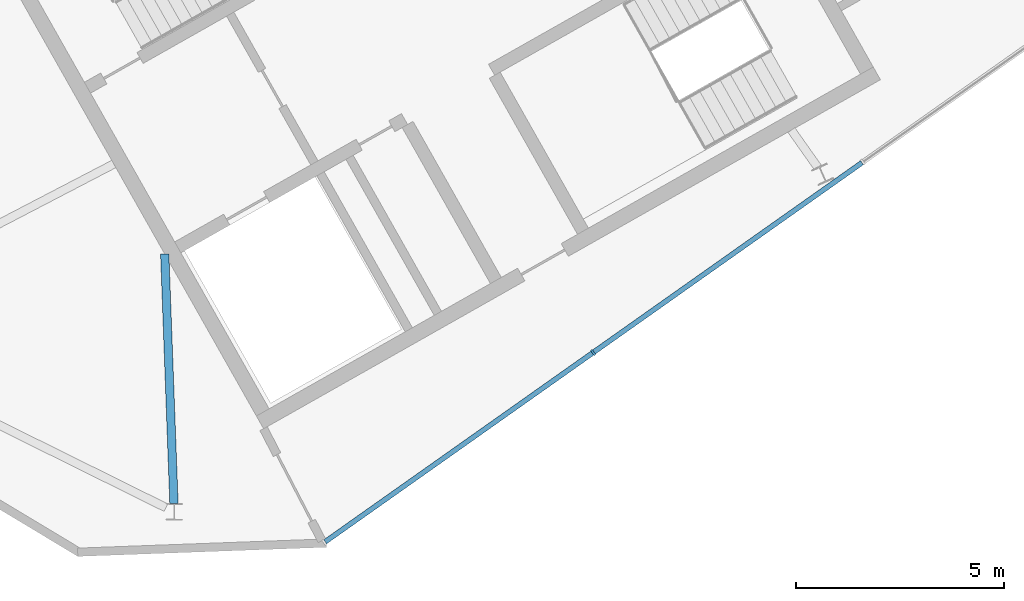
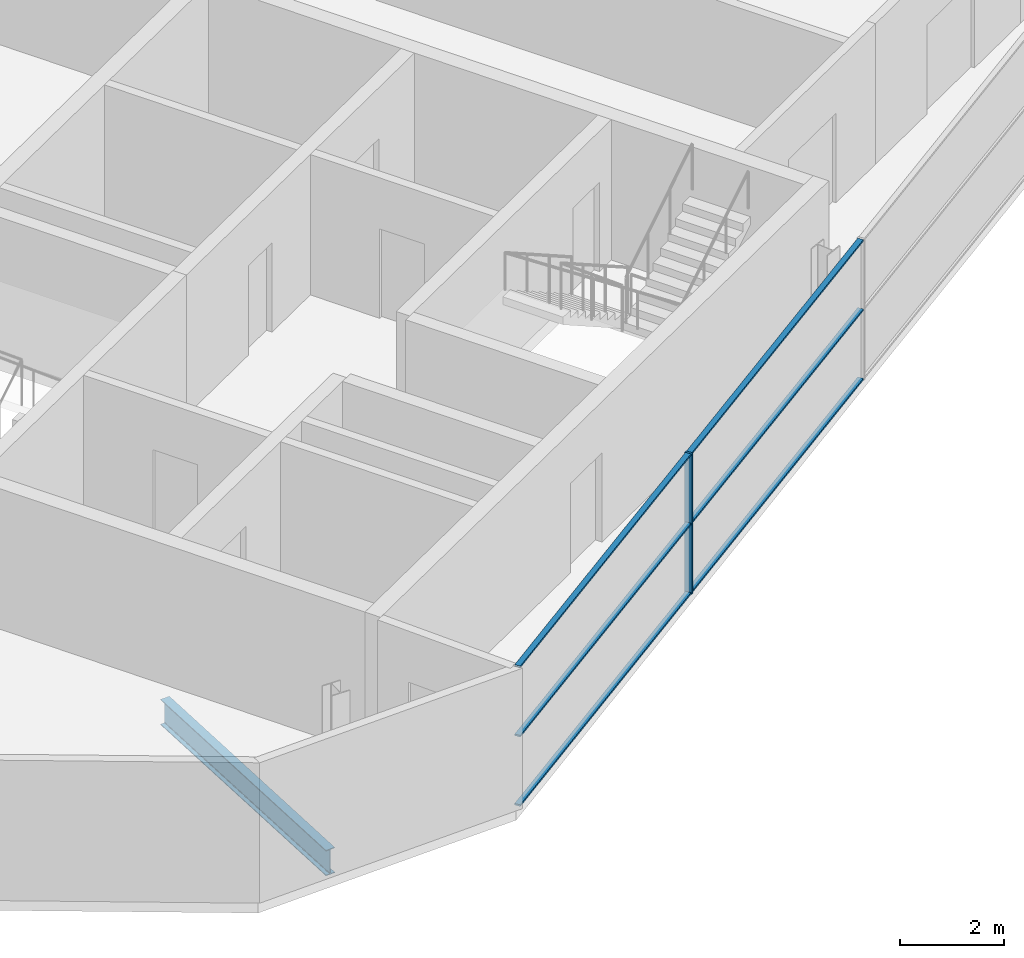
# One storey, part 4 of 10: 7 members, 1 beam, 1 element without a shape of its own.
"""IFC4 building model written with IfcOpenShell, lengths in metres."""

from ifc_helpers import new_model, si_unit, direction, frame, origin, origin_2d, place, context, subcontext, project, spatial, rectangle, i_section, extrude, material, material_profile, profile_set, type_object, element, aggregate, save


model = new_model("IFC4")

# Units and contexts
model_context = context("Model", 3, precision=1e-05, world=origin(), true_north=direction((0.0, 1.0)))
body_context = subcontext(model_context, "Body", "Model", "MODEL_VIEW")
ifc_project = project(units=[si_unit("LENGTHUNIT", "METRE"), si_unit("AREAUNIT", "SQUARE_METRE"), si_unit("VOLUMEUNIT", "CUBIC_METRE"), si_unit("PLANEANGLEUNIT", "RADIAN"), si_unit("MASSUNIT", "GRAM", prefix="KILO")], contexts=[model_context])

# Site, building, storey
site_placement = place(None, origin())
site = spatial("IfcSite", under=ifc_project, at=site_placement, CompositionType="ELEMENT")
building_placement = place(site_placement, origin())
building = spatial("IfcBuilding", under=site, at=building_placement, Name="Binnacle Exchange Tower", CompositionType="ELEMENT")
storey_placement = place(building_placement, frame((0.0, 0.0, 364.89990234375)))
storey = spatial("IfcBuildingStorey", under=building, at=storey_placement, Name="L84", CompositionType="ELEMENT", Elevation=364.89990234375)

# Curtain wall, members
ifc_material_1 = material(Name="Bronze anodised aluminium frame", Category="aluminium")
curtain_wall_type = type_object("IfcCurtainWallType", Name="External wall - curtain wall crown top", PredefinedType="NOTDEFINED", material=ifc_material_1)
curtain_wall_placement = place(storey_placement, origin())
curtain_wall = element("IfcCurtainWall", 1, at=curtain_wall_placement, inside=storey, type_object=curtain_wall_type, Name="External wall curtain wall CW6-C307 L84", PredefinedType="NOTDEFINED")
ifc_material_profile_1 = material_profile(ifc_material_1, rectangle(XDim=0.14990234375, YDim=0.050048828125, at=origin_2d()), Name="AL 50x150")
ifc_profile_set_1 = profile_set([ifc_material_profile_1], Name="Bronze anodised aluminium frame")
member_type_1 = type_object("IfcMemberType", Name="CW6 MULLION 50x150", PredefinedType="MULLION", material=ifc_profile_set_1)
member_1_placement = place(storey_placement, frame((-31.80908203125, 31.314208984375, 0.0), z_axis=(0.0, 0.0, 1.0), x_axis=(-0.576854127285, 0.816847180221, 0.0)))
member_1 = element("IfcMember", 2, at=member_1_placement, type_object=member_type_1, Name="CW6-C307 mullion 2", PredefinedType="MULLION", context=body_context, shape_type="SweptSolid", body=[
    extrude(rectangle(XDim=0.14990234375, YDim=0.050048828125, at=origin_2d()), origin(), (0.0, 0.0, 1.0), 3.300048828125),
])
ifc_material_profile_2 = material_profile(ifc_material_1, rectangle(XDim=0.1201171875, YDim=0.0400390625, at=origin_2d()), Name="AL 120x40")
ifc_profile_set_2 = profile_set([ifc_material_profile_2], Name="Bronze anodised aluminium frame")
member_type_2 = type_object("IfcMemberType", Name="CW6 TRANSOM 40x120", PredefinedType="USERDEFINED", material=ifc_profile_set_2)
member_2_placement = place(storey_placement, frame((-38.2373046875, 26.774658203125, 0.02001953125), z_axis=(0.816844504093, 0.576857916763, 0.0), x_axis=(-0.576857916763, 0.816844504093, 0.0)))
member_2 = element("IfcMember", 3, at=member_2_placement, type_object=member_type_2, Name="CW6-C307 transom 1.1", ObjectType="TRANSOM", PredefinedType="USERDEFINED", context=body_context, shape_type="SweptSolid", body=[
    extrude(rectangle(XDim=0.1201171875, YDim=0.0400390625, at=origin_2d()), origin(), (0.0, 0.0, 1.0), 7.844482421875),
])
member_3_placement = place(storey_placement, frame((-38.2373046875, 26.774658203125, 1.650146484375), z_axis=(0.816844504093, 0.576857916763, 0.0), x_axis=(-0.576857916763, 0.816844504093, 0.0)))
member_3 = element("IfcMember", 4, at=member_3_placement, type_object=member_type_2, Name="CW6-C307 transom 1.2", ObjectType="TRANSOM", PredefinedType="USERDEFINED", context=body_context, shape_type="SweptSolid", body=[
    extrude(rectangle(XDim=0.1201171875, YDim=0.0400390625, at=origin_2d()), origin(), (0.0, 0.0, 1.0), 7.844482421875),
])
member_4_placement = place(storey_placement, frame((-38.2373046875, 26.774658203125, 3.280029296875), z_axis=(0.816844504093, 0.576857916763, 0.0), x_axis=(-0.576857916763, 0.816844504093, 0.0)))
member_4 = element("IfcMember", 5, at=member_4_placement, type_object=member_type_2, Name="CW6-C307 transom 1.3", ObjectType="TRANSOM", PredefinedType="USERDEFINED", context=body_context, shape_type="SweptSolid", body=[
    extrude(rectangle(XDim=0.1201171875, YDim=0.0400390625, at=origin_2d()), origin(), (0.0, 0.0, 1.0), 7.844482421875),
])
member_5_placement = place(storey_placement, frame((-31.78857421875, 31.32861328125, 0.02001953125), z_axis=(0.816838873446, 0.576865889812, 0.0), x_axis=(-0.576865889812, 0.816838873446, 0.0)))
member_5 = element("IfcMember", 6, at=member_5_placement, type_object=member_type_2, Name="CW6-C307 transom 2.1", ObjectType="TRANSOM", PredefinedType="USERDEFINED", context=body_context, shape_type="SweptSolid", body=[
    extrude(rectangle(XDim=0.1201171875, YDim=0.0400390625, at=origin_2d()), origin(), (0.0, 0.0, 1.0), 7.869384765625),
])
member_6_placement = place(storey_placement, frame((-31.78857421875, 31.32861328125, 1.650146484375), z_axis=(0.816838873446, 0.576865889812, 0.0), x_axis=(-0.576865889812, 0.816838873446, 0.0)))
member_6 = element("IfcMember", 7, at=member_6_placement, type_object=member_type_2, Name="CW6-C307 transom 2.2", ObjectType="TRANSOM", PredefinedType="USERDEFINED", context=body_context, shape_type="SweptSolid", body=[
    extrude(rectangle(XDim=0.1201171875, YDim=0.0400390625, at=origin_2d()), origin(), (0.0, 0.0, 1.0), 7.869384765625),
])
member_7_placement = place(storey_placement, frame((-31.78857421875, 31.32861328125, 3.280029296875), z_axis=(0.816838873446, 0.576865889812, 0.0), x_axis=(-0.576865889812, 0.816838873446, 0.0)))
member_7 = element("IfcMember", 8, at=member_7_placement, type_object=member_type_2, Name="CW6-C307 transom 2.3", ObjectType="TRANSOM", PredefinedType="USERDEFINED", context=body_context, shape_type="SweptSolid", body=[
    extrude(rectangle(XDim=0.1201171875, YDim=0.0400390625, at=origin_2d()), origin(), (0.0, 0.0, 1.0), 7.869384765625),
])
aggregate(curtain_wall, [member_1, member_2, member_3, member_4, member_5, member_6, member_7])

# Beam
ifc_material_2 = material(Name="Steel S355 (SHN355)", Category="steel")
ifc_material_profile_3 = material_profile(ifc_material_2, i_section(OverallWidth=0.199951171875, OverallDepth=0.60009765625, WebThickness=0.010986328125, FlangeThickness=0.01708984375, FilletRadius=0.02197265625, at=origin_2d()), Name="H 600x200x11x17")
ifc_profile_set_3 = profile_set([ifc_material_profile_3], Name="Steel S355 (SHN355)")
beam_type = type_object("IfcBeamType", Name="Floor beam H 600x200x11x17 Steel S355 (SHN355)", PredefinedType="BEAM", material=ifc_profile_set_3)
beam_placement = place(storey_placement, frame((-41.864990234375, 27.69482421875, -0.599853515625), z_axis=(-0.036936266592, 0.999317623286, 0.0), x_axis=(-0.999317623286, -0.036936266592, 0.0)))
element("IfcBeam", 9, at=beam_placement, inside=storey, type_object=beam_type, Name="S:BM:cross:L84:013", PredefinedType="BEAM", context=body_context, shape_type="SweptSolid", body=[
    extrude(i_section(OverallWidth=0.199951171875, OverallDepth=0.60009765625, WebThickness=0.010986328125, FlangeThickness=0.01708984375, FilletRadius=0.02197265625, at=origin_2d()), origin(), (0.0, 0.0, 1.0), 5.988525390625),
])

save(model, "model.ifc")
